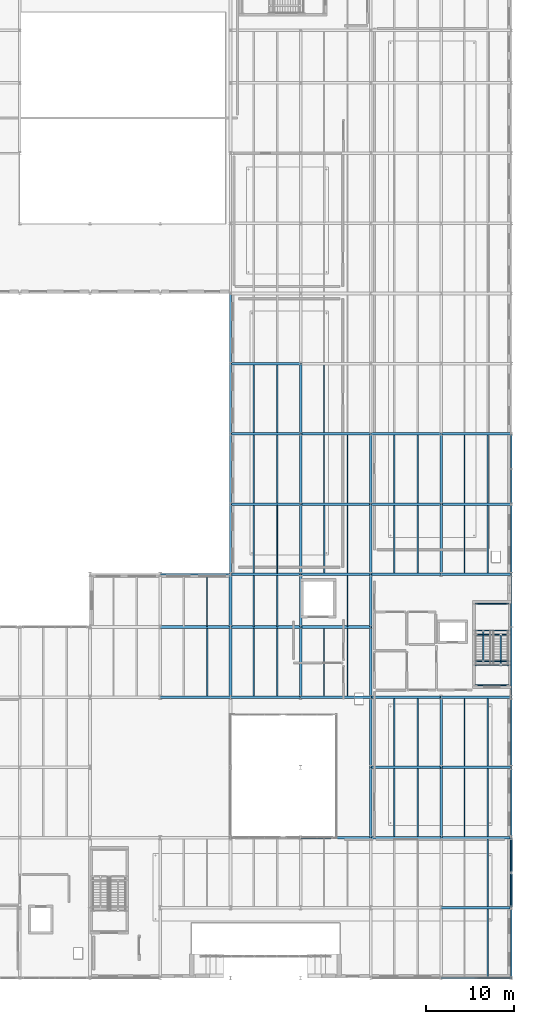
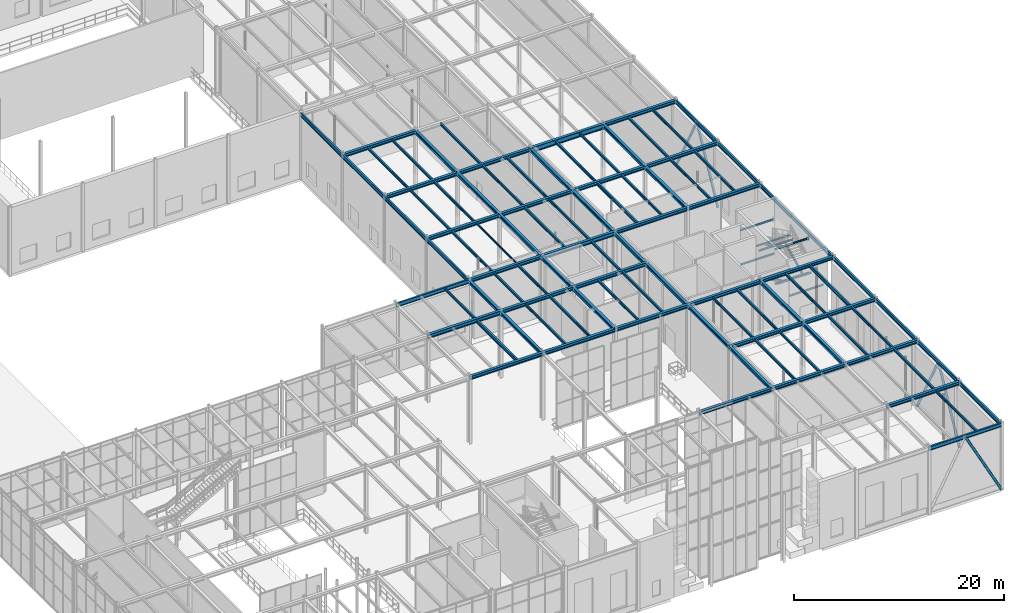
# One storey, part 70 of 138: 105 beams, 8 members.
"""IFC4 building model written with IfcOpenShell, lengths in metres."""

from ifc_helpers import new_model, si_unit, direction, frame, origin, origin_2d, place, context, subcontext, project, spatial, hollow_rectangle, hollow_circle, i_section, extrude, material, material_profile, profile_set, type_object, element, save


model = new_model("IFC4")

# Units and contexts
model_context = context("Model", 3, precision=1e-05, world=origin(), true_north=direction((0.0, 1.0)))
body_context = subcontext(model_context, "Body", "Model", "MODEL_VIEW")
ifc_project = project(units=[si_unit("LENGTHUNIT", "METRE"), si_unit("AREAUNIT", "SQUARE_METRE"), si_unit("VOLUMEUNIT", "CUBIC_METRE"), si_unit("PLANEANGLEUNIT", "RADIAN"), si_unit("MASSUNIT", "GRAM", prefix="KILO")], contexts=[model_context])

# Site, building, storey
site_placement = place(None, origin())
site = spatial("IfcSite", under=ifc_project, at=site_placement, CompositionType="ELEMENT")
building_placement = place(site_placement, origin())
building = spatial("IfcBuilding", under=site, at=building_placement, Name="Sundkrona Museum", CompositionType="ELEMENT")
storey_placement = place(building_placement, frame((0.0, 0.0, 9.60009765625)))
storey = spatial("IfcBuildingStorey", under=building, at=storey_placement, Name="L02", CompositionType="ELEMENT", Elevation=9.60009765625)

# Beams
ifc_material = material(Name="Steel S355J2", Category="steel")
ifc_material_profile_1 = material_profile(ifc_material, i_section(OverallWidth=0.300048828125, OverallDepth=0.389892578125, WebThickness=0.010986328125, FlangeThickness=0.01904296875, FilletRadius=0.027099609375, at=origin_2d()), Name="HEA 400")
ifc_profile_set_1 = profile_set([ifc_material_profile_1], Name="Steel S355J2")
beam_type_1 = type_object("IfcBeamType", Name="B-HEA400", PredefinedType="BEAM", material=ifc_profile_set_1)
for number, where, z_axis, x_axis, name in (
    (1, (160.0, 8.0, 7.56494140625), (1.0, 0.0, 0.0), (0.0, 1.0, 0.0), "L02 Girder X-1138"),
    (2, (144.0, 16.0, 7.56494140625), (1.0, 0.0, 0.0), (0.0, 1.0, 0.0), "L02 Girder X-1144"),
    (3, (152.0, 16.0, 7.56494140625), (1.0, 0.0, 0.0), (0.0, 1.0, 0.0), "L02 Girder X-1145"),
    (4, (160.0, 16.0, 7.56494140625), (1.0, 0.0, 0.0), (0.0, 1.0, 0.0), "L02 Girder X-1146"),
    (5, (152.0, 24.0, 7.56494140625), (1.0, 0.0, 0.0), (0.0, 1.0, 0.0), "L02 Girder X-1149"),
    (6, (160.0, 24.0, 7.56494140625), (1.0, 0.0, 0.0), (0.0, 1.0, 0.0), "L02 Girder X-1150"),
    (7, (128.0, 32.0, 7.56494140625), (1.0, 0.0, 0.0), (0.0, 1.0, 0.0), "L02 Girder X-1157"),
    (8, (136.0, 32.0, 7.56494140625), (1.0, 0.0, 0.0), (0.0, 1.0, 0.0), "L02 Girder X-1158"),
    (9, (144.0, 32.0, 7.56494140625), (1.0, 0.0, 0.0), (0.0, 1.0, 0.0), "L02 Girder X-1159"),
    (10, (152.0, 32.0, 7.56494140625), (1.0, 0.0, 0.0), (0.0, 1.0, 0.0), "L02 Girder X-1160"),
    (11, (136.0, 40.0, 7.56494140625), (1.0, 0.0, 0.0), (0.0, 1.0, 0.0), "L02 Girder X-1171"),
    (12, (144.0, 40.0, 7.56494140625), (1.0, 0.0, 0.0), (0.0, 1.0, 0.0), "L02 Girder X-1172"),
    (13, (136.0, 46.0, 7.544921875), (1.0, 0.0, 0.0), (0.0, 1.0, 0.0), "L02 Girder X-1178"),
    (14, (152.0, 46.0, 7.544921875), (1.0, 0.0, 0.0), (0.0, 1.0, 0.0), "L02 Girder X-1180"),
    (15, (160.0, 46.0, 7.544921875), (1.0, 0.0, 0.0), (0.0, 1.0, 0.0), "L02 Girder X-1181"),
    (16, (136.0, 54.0, 7.544921875), (1.0, 0.0, 0.0), (0.0, 1.0, 0.0), "L02 Girder X-1182"),
    (17, (144.0, 54.0, 7.544921875), (1.0, 0.0, 0.0), (0.0, 1.0, 0.0), "L02 Girder X-1183"),
    (18, (152.0, 54.0, 7.544921875), (1.0, 0.0, 0.0), (0.0, 1.0, 0.0), "L02 Girder X-1184"),
    (19, (160.0, 54.0, 7.544921875), (1.0, 0.0, 0.0), (0.0, 1.0, 0.0), "L02 Girder X-1185"),
    (20, (136.0, 62.0, 7.544921875), (1.0, 0.0, 0.0), (0.0, 1.0, 0.0), "L02 Girder X-1186"),
    (21, (144.0, 62.0, 7.544921875), (1.0, 0.0, 0.0), (0.0, 1.0, 0.0), "L02 Girder X-1187"),
    (22, (160.0, 62.0, 7.544921875), (1.0, 0.0, 0.0), (0.0, 1.0, 0.0), "L02 Girder X-1189"),
    (23, (136.0, 70.0, 7.544921875), (1.0, 0.0, 0.0), (0.0, 1.0, 0.0), "L02 Girder X-1190"),
    (24, (136.0, 32.0, 7.56494140625), (0.0, 1.0, 0.0), (-1.0, 0.0, 0.0), "L02 Girder Y-1345"),
):
    element("IfcBeam", number, at=place(storey_placement, frame(where, z_axis=z_axis, x_axis=x_axis)), inside=storey, type_object=beam_type_1, Name=name, PredefinedType="BEAM", context=body_context, shape_type="SweptSolid", body=[
        extrude(i_section(OverallWidth=0.300048828125, OverallDepth=0.389892578125, WebThickness=0.010986328125, FlangeThickness=0.01904296875, FilletRadius=0.027099609375, at=origin_2d()), origin(), (0.0, 0.0, 1.0), 8.0),
    ])
beam_1_placement = place(storey_placement, frame((136.0, 40.0, 7.544921875), z_axis=(0.0, 1.0, 0.0), x_axis=(-1.0, 0.0, 0.0)))
element("IfcBeam", 25, at=beam_1_placement, inside=storey, type_object=beam_type_1, Name="L02 Girder Y-1346", PredefinedType="BEAM", context=body_context, shape_type="SweptSolid", body=[
    extrude(i_section(OverallWidth=0.300048828125, OverallDepth=0.389892578125, WebThickness=0.010986328125, FlangeThickness=0.01904296875, FilletRadius=0.027099609375, at=origin_2d()), origin(), (0.0, 0.0, 1.0), 6.0),
])
beam_2_placement = place(storey_placement, frame((144.0, 32.0, 7.56494140625), z_axis=(0.0, 1.0, 0.0), x_axis=(-1.0, 0.0, 0.0)))
element("IfcBeam", 26, at=beam_2_placement, inside=storey, type_object=beam_type_1, Name="L02 Girder Y-1357", PredefinedType="BEAM", context=body_context, shape_type="SweptSolid", body=[
    extrude(i_section(OverallWidth=0.300048828125, OverallDepth=0.389892578125, WebThickness=0.010986328125, FlangeThickness=0.01904296875, FilletRadius=0.027099609375, at=origin_2d()), origin(), (0.0, 0.0, 1.0), 8.0),
])
beam_3_placement = place(storey_placement, frame((144.0, 40.0, 7.544921875), z_axis=(0.0, 1.0, 0.0), x_axis=(-1.0, 0.0, 0.0)))
element("IfcBeam", 27, at=beam_3_placement, inside=storey, type_object=beam_type_1, Name="L02 Girder Y-1358", PredefinedType="BEAM", context=body_context, shape_type="SweptSolid", body=[
    extrude(i_section(OverallWidth=0.300048828125, OverallDepth=0.389892578125, WebThickness=0.010986328125, FlangeThickness=0.01904296875, FilletRadius=0.027099609375, at=origin_2d()), origin(), (0.0, 0.0, 1.0), 6.0),
])
for number, where, z_axis, x_axis, name in (
    (28, (144.0, 46.0, 7.544921875), (0.0, 1.0, 0.0), (-1.0, 0.0, 0.0), "L02 Girder Y-1359"),
    (29, (144.0, 54.0, 7.544921875), (0.0, 1.0, 0.0), (-1.0, 0.0, 0.0), "L02 Girder Y-1360"),
    (30, (144.0, 62.0, 7.544921875), (0.0, 1.0, 0.0), (-1.0, 0.0, 0.0), "L02 Girder Y-1361"),
    (31, (152.0, 16.0, 7.56494140625), (0.0, 1.0, 0.0), (-1.0, 0.0, 0.0), "L02 Girder Y-1369"),
    (32, (152.0, 24.0, 7.56494140625), (0.0, 1.0, 0.0), (-1.0, 0.0, 0.0), "L02 Girder Y-1370"),
    (33, (152.0, 32.0, 7.56494140625), (0.0, 1.0, 0.0), (-1.0, 0.0, 0.0), "L02 Girder Y-1371"),
):
    element("IfcBeam", number, at=place(storey_placement, frame(where, z_axis=z_axis, x_axis=x_axis)), inside=storey, type_object=beam_type_1, Name=name, PredefinedType="BEAM", context=body_context, shape_type="SweptSolid", body=[
        extrude(i_section(OverallWidth=0.300048828125, OverallDepth=0.389892578125, WebThickness=0.010986328125, FlangeThickness=0.01904296875, FilletRadius=0.027099609375, at=origin_2d()), origin(), (0.0, 0.0, 1.0), 8.0),
    ])
beam_4_placement = place(storey_placement, frame((152.0, 40.0, 7.544921875), z_axis=(0.0, 1.0, 0.0), x_axis=(-1.0, 0.0, 0.0)))
element("IfcBeam", 34, at=beam_4_placement, inside=storey, type_object=beam_type_1, Name="L02 Girder Y-1372", PredefinedType="BEAM", context=body_context, shape_type="SweptSolid", body=[
    extrude(i_section(OverallWidth=0.300048828125, OverallDepth=0.389892578125, WebThickness=0.010986328125, FlangeThickness=0.01904296875, FilletRadius=0.027099609375, at=origin_2d()), origin(), (0.0, 0.0, 1.0), 6.0),
])
for number, where, z_axis, x_axis, name in (
    (35, (152.0, 46.0, 7.544921875), (0.0, 1.0, 0.0), (-1.0, 0.0, 0.0), "L02 Girder Y-1373"),
    (36, (152.0, 54.0, 7.544921875), (0.0, 1.0, 0.0), (-1.0, 0.0, 0.0), "L02 Girder Y-1374"),
    (37, (160.0, 16.0, 7.56494140625), (0.0, 1.0, 0.0), (-1.0, 0.0, 0.0), "L02 Girder Y-1384"),
    (38, (160.0, 24.0, 7.56494140625), (0.0, 1.0, 0.0), (-1.0, 0.0, 0.0), "L02 Girder Y-1385"),
    (39, (160.0, 46.0, 7.544921875), (0.0, 1.0, 0.0), (-1.0, 0.0, 0.0), "L02 Girder Y-1386"),
    (40, (160.0, 54.0, 7.544921875), (0.0, 1.0, 0.0), (-1.0, 0.0, 0.0), "L02 Girder Y-1387"),
):
    element("IfcBeam", number, at=place(storey_placement, frame(where, z_axis=z_axis, x_axis=x_axis)), inside=storey, type_object=beam_type_1, Name=name, PredefinedType="BEAM", context=body_context, shape_type="SweptSolid", body=[
        extrude(i_section(OverallWidth=0.300048828125, OverallDepth=0.389892578125, WebThickness=0.010986328125, FlangeThickness=0.01904296875, FilletRadius=0.027099609375, at=origin_2d()), origin(), (0.0, 0.0, 1.0), 8.0),
    ])
ifc_material_profile_2 = material_profile(ifc_material, i_section(OverallWidth=0.300048828125, OverallDepth=0.360107421875, WebThickness=0.012451171875, FlangeThickness=0.0224609375, FilletRadius=0.027099609375, at=origin_2d()), Name="HEB 360")
ifc_profile_set_2 = profile_set([ifc_material_profile_2], Name="Steel S355J2")
beam_type_2 = type_object("IfcBeamType", Name="B-HEB360", PredefinedType="BEAM", material=ifc_profile_set_2)
beam_5_placement = place(storey_placement, frame((160.0, 32.0, 7.579833984375), z_axis=(1.0, 0.0, 0.0), x_axis=(0.0, 1.0, 0.0)))
element("IfcBeam", 41, at=beam_5_placement, inside=storey, type_object=beam_type_2, Name="L02 Girder X-1161", PredefinedType="BEAM", context=body_context, shape_type="SweptSolid", body=[
    extrude(i_section(OverallWidth=0.300048828125, OverallDepth=0.360107421875, WebThickness=0.012451171875, FlangeThickness=0.0224609375, FilletRadius=0.027099609375, at=origin_2d()), origin(), (0.0, 0.0, 1.0), 8.0),
])
ifc_material_profile_3 = material_profile(ifc_material, i_section(OverallWidth=0.300048828125, OverallDepth=0.449951171875, WebThickness=0.013916015625, FlangeThickness=0.02587890625, FilletRadius=0.027099609375, at=origin_2d()), Name="HEB 450")
ifc_profile_set_3 = profile_set([ifc_material_profile_3], Name="Steel S355J2")
beam_type_3 = type_object("IfcBeamType", Name="B-HEB450", PredefinedType="BEAM", material=ifc_profile_set_3)
beam_6_placement = place(storey_placement, frame((128.0, 40.0, 7.534912109375), z_axis=(1.0, 0.0, 0.0), x_axis=(0.0, 1.0, 0.0)))
element("IfcBeam", 42, at=beam_6_placement, inside=storey, type_object=beam_type_3, Name="L02 Girder X-1170", PredefinedType="BEAM", context=body_context, shape_type="SweptSolid", body=[
    extrude(i_section(OverallWidth=0.300048828125, OverallDepth=0.449951171875, WebThickness=0.013916015625, FlangeThickness=0.02587890625, FilletRadius=0.027099609375, at=origin_2d()), origin(), (0.0, 0.0, 1.0), 8.0),
])
ifc_material_profile_4 = material_profile(ifc_material, i_section(OverallWidth=0.300048828125, OverallDepth=0.5, WebThickness=0.014404296875, FlangeThickness=0.028076171875, FilletRadius=0.027099609375, at=origin_2d()), Name="HEB 500")
ifc_profile_set_4 = profile_set([ifc_material_profile_4], Name="Steel S355J2")
beam_type_4 = type_object("IfcBeamType", Name="B-HEB500", PredefinedType="BEAM", material=ifc_profile_set_4)
beam_7_placement = place(storey_placement, frame((144.0, 46.0, 7.489990234375), z_axis=(1.0, 0.0, 0.0), x_axis=(0.0, 1.0, 0.0)))
element("IfcBeam", 43, at=beam_7_placement, inside=storey, type_object=beam_type_4, Name="L02 Girder X-1179", PredefinedType="BEAM", context=body_context, shape_type="SweptSolid", body=[
    extrude(i_section(OverallWidth=0.300048828125, OverallDepth=0.5, WebThickness=0.014404296875, FlangeThickness=0.028076171875, FilletRadius=0.027099609375, at=origin_2d()), origin(), (0.0, 0.0, 1.0), 8.0),
])
ifc_material_profile_5 = material_profile(ifc_material, i_section(OverallWidth=0.300048828125, OverallDepth=0.60009765625, WebThickness=0.015380859375, FlangeThickness=0.030029296875, FilletRadius=0.027099609375, at=origin_2d()), Name="HEB 600")
ifc_profile_set_5 = profile_set([ifc_material_profile_5], Name="Steel S355J2")
beam_type_5 = type_object("IfcBeamType", Name="B-HEB600", PredefinedType="BEAM", material=ifc_profile_set_5)
beam_8_placement = place(storey_placement, frame((152.0, 62.0, 7.43994140625), z_axis=(1.0, 0.0, 0.0), x_axis=(0.0, 1.0, 0.0)))
element("IfcBeam", 44, at=beam_8_placement, inside=storey, type_object=beam_type_5, Name="L02 Girder X-1188", PredefinedType="BEAM", context=body_context, shape_type="SweptSolid", body=[
    extrude(i_section(OverallWidth=0.300048828125, OverallDepth=0.60009765625, WebThickness=0.015380859375, FlangeThickness=0.030029296875, FilletRadius=0.027099609375, at=origin_2d()), origin(), (0.0, 0.0, 1.0), 8.0),
])

# Members
ifc_material_profile_6 = material_profile(ifc_material, hollow_circle(Radius=0.136474609375, WallThickness=0.012451171875, at=origin_2d()), Name="CHS 273.0x12.5")
ifc_profile_set_6 = profile_set([ifc_material_profile_6], Name="Steel S355J2")
member_type_1 = type_object("IfcMemberType", Name="BR-CHS273", PredefinedType="BRACE", material=ifc_profile_set_6)
for number, where, z_axis, x_axis, name in (
    (45, (168.0, 0.0, 0.0), (-0.468651123165, 0.0, 0.883383339642), (0.0, -1.0, 0.0), "CBR-1 L02 Concentric Chevron Brace 004B"),
    (46, (168.0, 8.0, 0.0), (0.0, 0.468651123165, 0.883383339642), (-1.0, 0.0, 0.0), "CBR-1 L02 Concentric Chevron Brace 010A"),
    (47, (168.0, 16.0, 0.0), (0.0, -0.468651123165, 0.883383339642), (1.0, 0.0, 0.0), "CBR-1 L02 Concentric Chevron Brace 010B"),
):
    element("IfcMember", number, at=place(storey_placement, frame(where, z_axis=z_axis, x_axis=x_axis)), inside=storey, type_object=member_type_1, Name=name, PredefinedType="BRACE", context=body_context, shape_type="SweptSolid", body=[
        extrude(hollow_circle(Radius=0.136474609375, WallThickness=0.012451171875, at=origin_2d()), origin(), (0.0, 0.0, 1.0), 8.53515625),
    ])
ifc_material_profile_7 = material_profile(ifc_material, i_section(OverallWidth=0.135009765625, OverallDepth=0.27001953125, WebThickness=0.006591796875, FlangeThickness=0.01025390625, FilletRadius=0.014892578125, at=origin_2d()), Name="IPE 270")
ifc_profile_set_7 = profile_set([ifc_material_profile_7], Name="Steel S355J2")
member_type_2 = type_object("IfcMemberType", Name="BR-IPE270", PredefinedType="BRACE", material=ifc_profile_set_7)
member_1_placement = place(storey_placement, frame((164.800048828125, 39.534912109375, 1.679931640625), z_axis=(0.0, -0.891659684786, 0.45270631377), x_axis=(1.0, 0.0, 0.0)))
element("IfcMember", 48, at=member_1_placement, inside=storey, type_object=member_type_2, Name="SRK-1 L02 ST-1 Flight 2 Inclined Carriage Raker", PredefinedType="BRACE", context=body_context, shape_type="SweptSolid", body=[
    extrude(i_section(OverallWidth=0.135009765625, OverallDepth=0.27001953125, WebThickness=0.006591796875, FlangeThickness=0.01025390625, FilletRadius=0.014892578125, at=origin_2d()), origin(), (0.0, 0.0, 1.0), 3.85205078125),
])
member_2_placement = place(storey_placement, frame((166.800048828125, 35.699951171875, 3.679931640625), z_axis=(0.0, 0.891672672484, 0.452680732022), x_axis=(-1.0, 0.0, 0.0)))
element("IfcMember", 49, at=member_2_placement, inside=storey, type_object=member_type_2, Name="SRK-1 L02 ST-1 Flight 3 Inclined Carriage Raker", PredefinedType="BRACE", context=body_context, shape_type="SweptSolid", body=[
    extrude(i_section(OverallWidth=0.135009765625, OverallDepth=0.27001953125, WebThickness=0.006591796875, FlangeThickness=0.01025390625, FilletRadius=0.014892578125, at=origin_2d()), origin(), (0.0, 0.0, 1.0), 3.852294921875),
])
member_3_placement = place(storey_placement, frame((164.800048828125, 39.534912109375, 5.679931640625), z_axis=(0.0, -0.891659684786, 0.45270631377), x_axis=(1.0, 0.0, 0.0)))
element("IfcMember", 50, at=member_3_placement, inside=storey, type_object=member_type_2, Name="SRK-1 L02 ST-1 Flight 4 Inclined Carriage Raker", PredefinedType="BRACE", context=body_context, shape_type="SweptSolid", body=[
    extrude(i_section(OverallWidth=0.135009765625, OverallDepth=0.27001953125, WebThickness=0.006591796875, FlangeThickness=0.01025390625, FilletRadius=0.014892578125, at=origin_2d()), origin(), (0.0, 0.0, 1.0), 3.85205078125),
])
ifc_material_profile_8 = material_profile(ifc_material, hollow_rectangle(XDim=0.199951171875, YDim=0.199951171875, WallThickness=0.010009765625, at=origin_2d()), Name="SHS 200x200x10.0")
ifc_profile_set_8 = profile_set([ifc_material_profile_8], Name="Steel S355J2")
member_type_3 = type_object("IfcMemberType", Name="BR-SHS200", PredefinedType="BRACE", material=ifc_profile_set_8)
for number, where, z_axis, x_axis, name in (
    (51, (168.0, 54.0, 0.0), (0.0, 0.46961202227, 0.882872894895), (-1.0, 0.0, 0.0), "CBR-1 L02 Concentric Chevron Brace 028A"),
    (52, (168.0, 62.0, 0.0), (0.0, -0.46961202227, 0.882872894895), (1.0, 0.0, 0.0), "CBR-1 L02 Concentric Chevron Brace 028B"),
):
    element("IfcMember", number, at=place(storey_placement, frame(where, z_axis=z_axis, x_axis=x_axis)), inside=storey, type_object=member_type_3, Name=name, PredefinedType="BRACE", context=body_context, shape_type="SweptSolid", body=[
        extrude(hollow_rectangle(XDim=0.199951171875, YDim=0.199951171875, WallThickness=0.010009765625, at=origin_2d()), origin(), (0.0, 0.0, 1.0), 8.517578125),
    ])

# Beams
ifc_material_profile_9 = material_profile(ifc_material, i_section(OverallWidth=0.10009765625, OverallDepth=0.199951171875, WebThickness=0.005615234375, FlangeThickness=0.008544921875, FilletRadius=0.011962890625, at=origin_2d()), Name="IPE 200")
ifc_profile_set_9 = profile_set([ifc_material_profile_9], Name="Steel S355J2")
beam_type_6 = type_object("IfcBeamType", Name="J-IPE200", PredefinedType="JOIST", material=ifc_profile_set_9)
beam_9_placement = place(storey_placement, frame((141.333251953125, 46.14404296875, 7.639892578125), z_axis=(0.0, 1.0, 0.0), x_axis=(-1.0, 0.0, 0.0)))
element("IfcBeam", 53, at=beam_9_placement, inside=storey, type_object=beam_type_6, Name="L02 Composite Joist 0880", PredefinedType="JOIST", context=body_context, shape_type="SweptSolid", body=[
    extrude(i_section(OverallWidth=0.10009765625, OverallDepth=0.199951171875, WebThickness=0.005615234375, FlangeThickness=0.008544921875, FilletRadius=0.011962890625, at=origin_2d()), origin(), (0.0, 0.0, 1.0), 7.7119140625),
])
for number, where, z_axis, x_axis, name in (
    (54, (163.909912109375, 39.598388671875, 1.679931640625), (1.0, 0.0, 0.0), (0.0, 1.0, 0.0), "L02 ST-1 Mid-Landing Trimmer Beam 1A"),
    (55, (163.909912109375, 42.63671875, 1.679931640625), (1.0, 0.0, 0.0), (0.0, 1.0, 0.0), "L02 ST-1 Mid-Landing Trimmer Beam 1B"),
    (56, (163.909912109375, 33.347900390625, 3.679931640625), (1.0, 0.0, 0.0), (0.0, 1.0, 0.0), "L02 ST-1 Mid-Landing Trimmer Beam 2A"),
    (57, (163.909912109375, 35.652099609375, 3.679931640625), (1.0, 0.0, 0.0), (0.0, 1.0, 0.0), "L02 ST-1 Mid-Landing Trimmer Beam 2B"),
    (58, (163.909912109375, 39.598388671875, 5.679931640625), (1.0, 0.0, 0.0), (0.0, 1.0, 0.0), "L02 ST-1 Mid-Landing Trimmer Beam 3A"),
    (59, (163.909912109375, 42.63671875, 5.679931640625), (1.0, 0.0, 0.0), (0.0, 1.0, 0.0), "L02 ST-1 Mid-Landing Trimmer Beam 3B"),
    (60, (163.909912109375, 36.10009765625, 3.423828125), (1.0, 0.0, 0.0), (0.0, 1.0, 0.0), "L02 ST-1 Flight 2 Arrival Header Beam"),
    (61, (163.909912109375, 39.135009765625, 5.423828125), (1.0, 0.0, 0.0), (0.0, 1.0, 0.0), "L02 ST-1 Flight 3 Arrival Header Beam"),
    (62, (163.909912109375, 36.10009765625, 7.423828125), (1.0, 0.0, 0.0), (0.0, 1.0, 0.0), "L02 ST-1 Flight 4 Arrival Header Beam"),
):
    element("IfcBeam", number, at=place(storey_placement, frame(where, z_axis=z_axis, x_axis=x_axis)), inside=storey, type_object=beam_type_6, Name=name, PredefinedType="JOIST", context=body_context, shape_type="SweptSolid", body=[
        extrude(i_section(OverallWidth=0.10009765625, OverallDepth=0.199951171875, WebThickness=0.005615234375, FlangeThickness=0.008544921875, FilletRadius=0.011962890625, at=origin_2d()), origin(), (0.0, 0.0, 1.0), 3.780029296875),
    ])
ifc_material_profile_10 = material_profile(ifc_material, i_section(OverallWidth=0.14990234375, OverallDepth=0.300048828125, WebThickness=0.007080078125, FlangeThickness=0.0107421875, FilletRadius=0.014892578125, at=origin_2d()), Name="IPE 300")
ifc_profile_set_10 = profile_set([ifc_material_profile_10], Name="Steel S355J2")
beam_type_7 = type_object("IfcBeamType", Name="J-IPE300", PredefinedType="JOIST", material=ifc_profile_set_10)
beam_10_placement = place(storey_placement, frame((133.333251953125, 40.014892578125, 7.58984375), z_axis=(0.0, 1.0, 0.0), x_axis=(-1.0, 0.0, 0.0)))
element("IfcBeam", 63, at=beam_10_placement, inside=storey, type_object=beam_type_7, Name="L02 Composite Joist 0872", PredefinedType="JOIST", context=body_context, shape_type="SweptSolid", body=[
    extrude(i_section(OverallWidth=0.14990234375, OverallDepth=0.300048828125, WebThickness=0.007080078125, FlangeThickness=0.0107421875, FilletRadius=0.014892578125, at=origin_2d()), origin(), (0.0, 0.0, 1.0), 5.89599609375),
])
for number, where, z_axis, x_axis, name in (
    (64, (138.666748046875, 32.14404296875, 7.60986328125), (0.0, 1.0, 0.0), (-1.0, 0.0, 0.0), "L02 Composite Joist 0875"),
    (65, (141.333251953125, 32.14404296875, 7.60986328125), (0.0, 1.0, 0.0), (-1.0, 0.0, 0.0), "L02 Composite Joist 0876"),
):
    element("IfcBeam", number, at=place(storey_placement, frame(where, z_axis=z_axis, x_axis=x_axis)), inside=storey, type_object=beam_type_7, Name=name, PredefinedType="JOIST", context=body_context, shape_type="SweptSolid", body=[
        extrude(i_section(OverallWidth=0.14990234375, OverallDepth=0.300048828125, WebThickness=0.007080078125, FlangeThickness=0.0107421875, FilletRadius=0.014892578125, at=origin_2d()), origin(), (0.0, 0.0, 1.0), 7.7119140625),
    ])
for number, where, z_axis, x_axis, name in (
    (66, (138.666748046875, 40.014892578125, 7.58984375), (0.0, 1.0, 0.0), (-1.0, 0.0, 0.0), "L02 Composite Joist 0877"),
    (67, (141.333251953125, 40.014892578125, 7.58984375), (0.0, 1.0, 0.0), (-1.0, 0.0, 0.0), "L02 Composite Joist 0878"),
):
    element("IfcBeam", number, at=place(storey_placement, frame(where, z_axis=z_axis, x_axis=x_axis)), inside=storey, type_object=beam_type_7, Name=name, PredefinedType="JOIST", context=body_context, shape_type="SweptSolid", body=[
        extrude(i_section(OverallWidth=0.14990234375, OverallDepth=0.300048828125, WebThickness=0.007080078125, FlangeThickness=0.0107421875, FilletRadius=0.014892578125, at=origin_2d()), origin(), (0.0, 0.0, 1.0), 5.841064453125),
    ])
for number, where, z_axis, x_axis, name in (
    (68, (138.666748046875, 46.14404296875, 7.58984375), (0.0, 1.0, 0.0), (-1.0, 0.0, 0.0), "L02 Composite Joist 0879"),
    (69, (138.666748046875, 54.14404296875, 7.58984375), (0.0, 1.0, 0.0), (-1.0, 0.0, 0.0), "L02 Composite Joist 0881"),
    (70, (141.333251953125, 54.14404296875, 7.58984375), (0.0, 1.0, 0.0), (-1.0, 0.0, 0.0), "L02 Composite Joist 0882"),
    (71, (138.666748046875, 62.14404296875, 7.58984375), (0.0, 1.0, 0.0), (-1.0, 0.0, 0.0), "L02 Composite Joist 0883"),
    (72, (141.333251953125, 62.14404296875, 7.58984375), (0.0, 1.0, 0.0), (-1.0, 0.0, 0.0), "L02 Composite Joist 0884"),
    (73, (146.666748046875, 32.14404296875, 7.60986328125), (0.0, 1.0, 0.0), (-1.0, 0.0, 0.0), "L02 Composite Joist 0897"),
    (74, (149.333251953125, 32.14404296875, 7.60986328125), (0.0, 1.0, 0.0), (-1.0, 0.0, 0.0), "L02 Composite Joist 0898"),
):
    element("IfcBeam", number, at=place(storey_placement, frame(where, z_axis=z_axis, x_axis=x_axis)), inside=storey, type_object=beam_type_7, Name=name, PredefinedType="JOIST", context=body_context, shape_type="SweptSolid", body=[
        extrude(i_section(OverallWidth=0.14990234375, OverallDepth=0.300048828125, WebThickness=0.007080078125, FlangeThickness=0.0107421875, FilletRadius=0.014892578125, at=origin_2d()), origin(), (0.0, 0.0, 1.0), 7.7119140625),
    ])
beam_11_placement = place(storey_placement, frame((149.333251953125, 40.014892578125, 7.58984375), z_axis=(0.0, 1.0, 0.0), x_axis=(-1.0, 0.0, 0.0)))
element("IfcBeam", 75, at=beam_11_placement, inside=storey, type_object=beam_type_7, Name="L02 Composite Joist 0899", PredefinedType="JOIST", context=body_context, shape_type="SweptSolid", body=[
    extrude(i_section(OverallWidth=0.14990234375, OverallDepth=0.300048828125, WebThickness=0.007080078125, FlangeThickness=0.0107421875, FilletRadius=0.014892578125, at=origin_2d()), origin(), (0.0, 0.0, 1.0), 5.841064453125),
])
for number, where, z_axis, x_axis, name in (
    (76, (149.333251953125, 46.14404296875, 7.58984375), (0.0, 1.0, 0.0), (-1.0, 0.0, 0.0), "L02 Composite Joist 0901"),
    (77, (146.666748046875, 54.14404296875, 7.58984375), (0.0, 1.0, 0.0), (-1.0, 0.0, 0.0), "L02 Composite Joist 0902"),
    (78, (149.333251953125, 54.14404296875, 7.58984375), (0.0, 1.0, 0.0), (-1.0, 0.0, 0.0), "L02 Composite Joist 0903"),
    (79, (146.666748046875, 62.14404296875, 7.58984375), (0.0, 1.0, 0.0), (-1.0, 0.0, 0.0), "L02 Composite Joist 0904"),
    (80, (154.666748046875, 16.14404296875, 7.60986328125), (0.0, 1.0, 0.0), (-1.0, 0.0, 0.0), "L02 Composite Joist 0921"),
    (81, (157.333251953125, 16.14404296875, 7.60986328125), (0.0, 1.0, 0.0), (-1.0, 0.0, 0.0), "L02 Composite Joist 0922"),
    (82, (154.666748046875, 24.14404296875, 7.60986328125), (0.0, 1.0, 0.0), (-1.0, 0.0, 0.0), "L02 Composite Joist 0923"),
    (83, (157.333251953125, 24.14404296875, 7.60986328125), (0.0, 1.0, 0.0), (-1.0, 0.0, 0.0), "L02 Composite Joist 0924"),
    (84, (157.333251953125, 46.14404296875, 7.58984375), (0.0, 1.0, 0.0), (-1.0, 0.0, 0.0), "L02 Composite Joist 0926"),
    (85, (154.666748046875, 54.14404296875, 7.58984375), (0.0, 1.0, 0.0), (-1.0, 0.0, 0.0), "L02 Composite Joist 0927"),
    (86, (157.333251953125, 54.14404296875, 7.58984375), (0.0, 1.0, 0.0), (-1.0, 0.0, 0.0), "L02 Composite Joist 0928"),
):
    element("IfcBeam", number, at=place(storey_placement, frame(where, z_axis=z_axis, x_axis=x_axis)), inside=storey, type_object=beam_type_7, Name=name, PredefinedType="JOIST", context=body_context, shape_type="SweptSolid", body=[
        extrude(i_section(OverallWidth=0.14990234375, OverallDepth=0.300048828125, WebThickness=0.007080078125, FlangeThickness=0.0107421875, FilletRadius=0.014892578125, at=origin_2d()), origin(), (0.0, 0.0, 1.0), 7.7119140625),
    ])
beam_12_placement = place(storey_placement, frame((165.333251953125, 0.089111328125, 7.60986328125), z_axis=(0.0, 1.0, 0.0), x_axis=(-1.0, 0.0, 0.0)))
element("IfcBeam", 87, at=beam_12_placement, inside=storey, type_object=beam_type_7, Name="L02 Composite Joist 0944", PredefinedType="JOIST", context=body_context, shape_type="SweptSolid", body=[
    extrude(i_section(OverallWidth=0.14990234375, OverallDepth=0.300048828125, WebThickness=0.007080078125, FlangeThickness=0.0107421875, FilletRadius=0.014892578125, at=origin_2d()), origin(), (0.0, 0.0, 1.0), 7.766845703125),
])
for number, where, z_axis, x_axis, name in (
    (88, (165.333251953125, 8.14404296875, 7.60986328125), (0.0, 1.0, 0.0), (-1.0, 0.0, 0.0), "L02 Composite Joist 0946"),
    (89, (162.666748046875, 16.14404296875, 7.60986328125), (0.0, 1.0, 0.0), (-1.0, 0.0, 0.0), "L02 Composite Joist 0947"),
    (90, (165.333251953125, 16.14404296875, 7.60986328125), (0.0, 1.0, 0.0), (-1.0, 0.0, 0.0), "L02 Composite Joist 0948"),
    (91, (162.666748046875, 24.14404296875, 7.60986328125), (0.0, 1.0, 0.0), (-1.0, 0.0, 0.0), "L02 Composite Joist 0949"),
    (92, (162.666748046875, 46.14404296875, 7.58984375), (0.0, 1.0, 0.0), (-1.0, 0.0, 0.0), "L02 Composite Joist 0951"),
    (93, (165.333251953125, 46.14404296875, 7.58984375), (0.0, 1.0, 0.0), (-1.0, 0.0, 0.0), "L02 Composite Joist 0952"),
    (94, (162.666748046875, 54.14404296875, 7.58984375), (0.0, 1.0, 0.0), (-1.0, 0.0, 0.0), "L02 Composite Joist 0953"),
    (95, (165.333251953125, 54.14404296875, 7.58984375), (0.0, 1.0, 0.0), (-1.0, 0.0, 0.0), "L02 Composite Joist 0954"),
):
    element("IfcBeam", number, at=place(storey_placement, frame(where, z_axis=z_axis, x_axis=x_axis)), inside=storey, type_object=beam_type_7, Name=name, PredefinedType="JOIST", context=body_context, shape_type="SweptSolid", body=[
        extrude(i_section(OverallWidth=0.14990234375, OverallDepth=0.300048828125, WebThickness=0.007080078125, FlangeThickness=0.0107421875, FilletRadius=0.014892578125, at=origin_2d()), origin(), (0.0, 0.0, 1.0), 7.7119140625),
    ])
ifc_material_profile_11 = material_profile(ifc_material, i_section(OverallWidth=0.159912109375, OverallDepth=0.330078125, WebThickness=0.007568359375, FlangeThickness=0.011474609375, FilletRadius=0.01806640625, at=origin_2d()), Name="IPE 330")
ifc_profile_set_11 = profile_set([ifc_material_profile_11], Name="Steel S355J2")
beam_type_8 = type_object("IfcBeamType", Name="J-IPE330", PredefinedType="JOIST", material=ifc_profile_set_11)
beam_13_placement = place(storey_placement, frame((146.666748046875, 46.14404296875, 7.574951171875), z_axis=(0.0, 1.0, 0.0), x_axis=(-1.0, 0.0, 0.0)))
element("IfcBeam", 96, at=beam_13_placement, inside=storey, type_object=beam_type_8, Name="L02 Composite Joist 0900", PredefinedType="JOIST", context=body_context, shape_type="SweptSolid", body=[
    extrude(i_section(OverallWidth=0.159912109375, OverallDepth=0.330078125, WebThickness=0.007568359375, FlangeThickness=0.011474609375, FilletRadius=0.01806640625, at=origin_2d()), origin(), (0.0, 0.0, 1.0), 7.7119140625),
])
ifc_material_profile_12 = material_profile(ifc_material, i_section(OverallWidth=0.169921875, OverallDepth=0.360107421875, WebThickness=0.008056640625, FlangeThickness=0.0126953125, FilletRadius=0.01806640625, at=origin_2d()), Name="IPE 360")
ifc_profile_set_12 = profile_set([ifc_material_profile_12], Name="Steel S355J2")
beam_type_9 = type_object("IfcBeamType", Name="J-IPE360", PredefinedType="JOIST", material=ifc_profile_set_12)
beam_14_placement = place(storey_placement, frame((154.666748046875, 46.14404296875, 7.559814453125), z_axis=(0.0, 1.0, 0.0), x_axis=(-1.0, 0.0, 0.0)))
element("IfcBeam", 97, at=beam_14_placement, inside=storey, type_object=beam_type_9, Name="L02 Composite Joist 0925", PredefinedType="JOIST", context=body_context, shape_type="SweptSolid", body=[
    extrude(i_section(OverallWidth=0.169921875, OverallDepth=0.360107421875, WebThickness=0.008056640625, FlangeThickness=0.0126953125, FilletRadius=0.01806640625, at=origin_2d()), origin(), (0.0, 0.0, 1.0), 7.7119140625),
])
ifc_material_profile_13 = material_profile(ifc_material, i_section(OverallWidth=0.179931640625, OverallDepth=0.39990234375, WebThickness=0.008544921875, FlangeThickness=0.013427734375, FilletRadius=0.02099609375, at=origin_2d()), Name="IPE 400")
ifc_profile_set_13 = profile_set([ifc_material_profile_13], Name="Steel S355J2")
beam_type_10 = type_object("IfcBeamType", Name="J-IPE400", PredefinedType="JOIST", material=ifc_profile_set_13)
for number, where, z_axis, x_axis, name in (
    (98, (133.333251953125, 32.14404296875, 7.559814453125), (0.0, 1.0, 0.0), (-1.0, 0.0, 0.0), "L02 Composite Joist 0870"),
    (99, (165.333251953125, 24.14404296875, 7.559814453125), (0.0, 1.0, 0.0), (-1.0, 0.0, 0.0), "L02 Composite Joist 0950"),
):
    element("IfcBeam", number, at=place(storey_placement, frame(where, z_axis=z_axis, x_axis=x_axis)), inside=storey, type_object=beam_type_10, Name=name, PredefinedType="JOIST", context=body_context, shape_type="SweptSolid", body=[
        extrude(i_section(OverallWidth=0.179931640625, OverallDepth=0.39990234375, WebThickness=0.008544921875, FlangeThickness=0.013427734375, FilletRadius=0.02099609375, at=origin_2d()), origin(), (0.0, 0.0, 1.0), 7.7119140625),
    ])
ifc_material_profile_14 = material_profile(ifc_material, i_section(OverallWidth=0.18994140625, OverallDepth=0.449951171875, WebThickness=0.009521484375, FlangeThickness=0.0146484375, FilletRadius=0.02099609375, at=origin_2d()), Name="IPE 450")
ifc_profile_set_14 = profile_set([ifc_material_profile_14], Name="Steel S355J2")
beam_type_11 = type_object("IfcBeamType", Name="SP-IPE450", PredefinedType="SPANDREL", material=ifc_profile_set_14)
for number, where, z_axis, x_axis, name in (
    (100, (160.0, 0.0, 7.534912109375), (1.0, 0.0, 0.0), (0.0, 1.0, 0.0), "L02 Girder X-1129"),
    (101, (128.0, 46.0, 7.514892578125), (1.0, 0.0, 0.0), (0.0, 1.0, 0.0), "L02 Girder X-1177"),
    (102, (136.0, 46.0, 7.514892578125), (0.0, 1.0, 0.0), (-1.0, 0.0, 0.0), "L02 Girder Y-1347"),
    (103, (136.0, 54.0, 7.514892578125), (0.0, 1.0, 0.0), (-1.0, 0.0, 0.0), "L02 Girder Y-1348"),
    (104, (136.0, 62.0, 7.514892578125), (0.0, 1.0, 0.0), (-1.0, 0.0, 0.0), "L02 Girder Y-1349"),
    (105, (136.0, 70.0, 7.514892578125), (0.0, 1.0, 0.0), (-1.0, 0.0, 0.0), "L02 Girder Y-1350"),
    (106, (168.0, 0.0, 7.534912109375), (0.0, 1.0, 0.0), (-1.0, 0.0, 0.0), "L02 Girder Y-1395"),
    (107, (168.0, 8.0, 7.534912109375), (0.0, 1.0, 0.0), (-1.0, 0.0, 0.0), "L02 Girder Y-1396"),
    (108, (168.0, 16.0, 7.534912109375), (0.0, 1.0, 0.0), (-1.0, 0.0, 0.0), "L02 Girder Y-1397"),
    (109, (168.0, 24.0, 7.534912109375), (0.0, 1.0, 0.0), (-1.0, 0.0, 0.0), "L02 Girder Y-1398"),
    (110, (168.0, 32.0, 7.534912109375), (0.0, 1.0, 0.0), (-1.0, 0.0, 0.0), "L02 Girder Y-1399"),
):
    element("IfcBeam", number, at=place(storey_placement, frame(where, z_axis=z_axis, x_axis=x_axis)), inside=storey, type_object=beam_type_11, Name=name, PredefinedType="SPANDREL", context=body_context, shape_type="SweptSolid", body=[
        extrude(i_section(OverallWidth=0.18994140625, OverallDepth=0.449951171875, WebThickness=0.009521484375, FlangeThickness=0.0146484375, FilletRadius=0.02099609375, at=origin_2d()), origin(), (0.0, 0.0, 1.0), 8.0),
    ])
beam_15_placement = place(storey_placement, frame((168.0, 40.0, 7.514892578125), z_axis=(0.0, 1.0, 0.0), x_axis=(-1.0, 0.0, 0.0)))
element("IfcBeam", 111, at=beam_15_placement, inside=storey, type_object=beam_type_11, Name="L02 Girder Y-1400", PredefinedType="SPANDREL", context=body_context, shape_type="SweptSolid", body=[
    extrude(i_section(OverallWidth=0.18994140625, OverallDepth=0.449951171875, WebThickness=0.009521484375, FlangeThickness=0.0146484375, FilletRadius=0.02099609375, at=origin_2d()), origin(), (0.0, 0.0, 1.0), 6.0),
])
for number, where, z_axis, x_axis, name in (
    (112, (168.0, 46.0, 7.514892578125), (0.0, 1.0, 0.0), (-1.0, 0.0, 0.0), "L02 Girder Y-1401"),
    (113, (168.0, 54.0, 7.514892578125), (0.0, 1.0, 0.0), (-1.0, 0.0, 0.0), "L02 Girder Y-1402"),
):
    element("IfcBeam", number, at=place(storey_placement, frame(where, z_axis=z_axis, x_axis=x_axis)), inside=storey, type_object=beam_type_11, Name=name, PredefinedType="SPANDREL", context=body_context, shape_type="SweptSolid", body=[
        extrude(i_section(OverallWidth=0.18994140625, OverallDepth=0.449951171875, WebThickness=0.009521484375, FlangeThickness=0.0146484375, FilletRadius=0.02099609375, at=origin_2d()), origin(), (0.0, 0.0, 1.0), 8.0),
    ])

save(model, "model.ifc")
